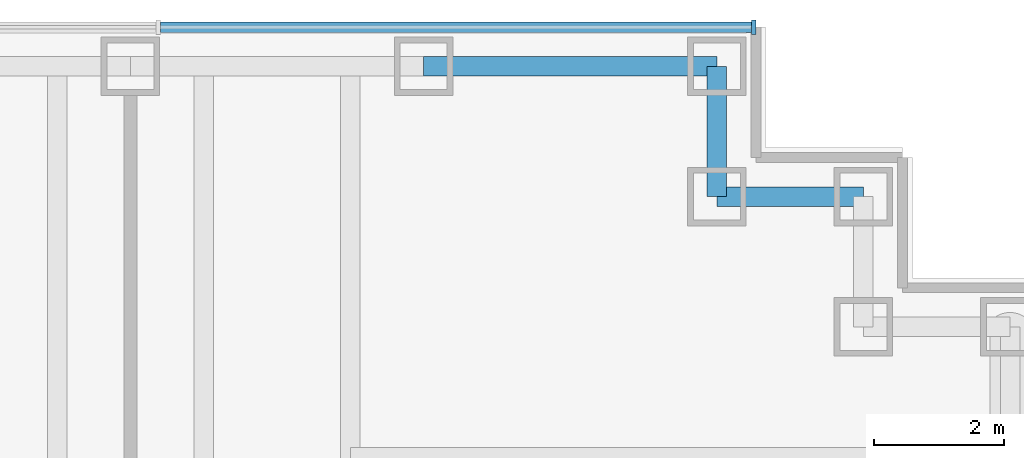
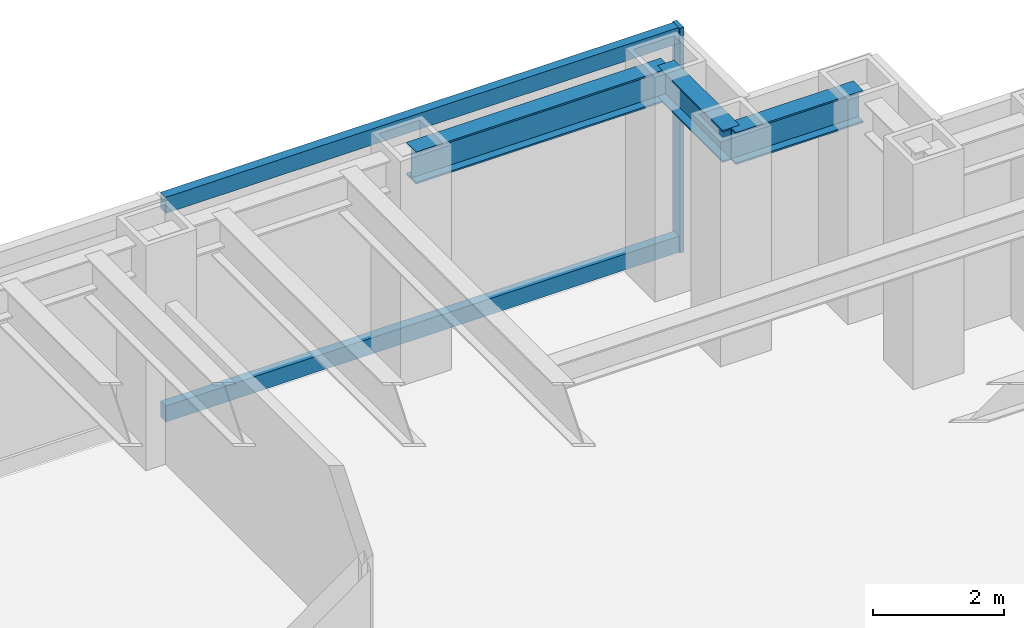
# One storey, part 8 of 14: 3 beams, 3 members, 1 element without a shape of its own.
"""IFC4 building model written with IfcOpenShell, lengths in metres."""

from ifc_helpers import new_model, si_unit, direction, frame, origin, origin_2d, place, context, subcontext, project, spatial, rectangle, i_section, extrude, material, material_profile, profile_set, type_object, element, aggregate, save


model = new_model("IFC4")

# Units and contexts
model_context = context("Model", 3, precision=1e-05, world=origin(), true_north=direction((0.0, 1.0)))
body_context = subcontext(model_context, "Body", "Model", "MODEL_VIEW")
ifc_project = project(units=[si_unit("LENGTHUNIT", "METRE"), si_unit("AREAUNIT", "SQUARE_METRE"), si_unit("VOLUMEUNIT", "CUBIC_METRE"), si_unit("PLANEANGLEUNIT", "RADIAN"), si_unit("MASSUNIT", "GRAM", prefix="KILO")], contexts=[model_context])

# Site, building, storey
site_placement = place(None, origin())
site = spatial("IfcSite", under=ifc_project, at=site_placement, CompositionType="ELEMENT")
building_placement = place(site_placement, origin())
building = spatial("IfcBuilding", under=site, at=building_placement, Name="Rheinbord Bourse Tower", CompositionType="ELEMENT")
storey_placement = place(building_placement, frame((0.0, 0.0, 198.39990234375)))
storey = spatial("IfcBuildingStorey", under=building, at=storey_placement, Name="L44", CompositionType="ELEMENT", Elevation=198.39990234375)

# Curtain wall, members
ifc_material_1 = material(Name="Dark glass and black aluminium", Category="aluminium")
curtain_wall_type = type_object("IfcCurtainWallType", Name="CW2 DARK GLASS CURTAIN WALL", PredefinedType="USERDEFINED", material=ifc_material_1)
curtain_wall_placement = place(storey_placement, origin())
curtain_wall = element("IfcCurtainWall", 1, at=curtain_wall_placement, inside=storey, type_object=curtain_wall_type, Name="Curtain wall CW2 N L44", ObjectType="UNITISED CURTAIN WALL", PredefinedType="USERDEFINED")
ifc_material_2 = material(Name="Black anodised aluminium", Category="aluminium")
ifc_material_profile_1 = material_profile(ifc_material_2, rectangle(XDim=0.219970703125, YDim=0.070068359375, at=origin_2d()), Name="CW2 MULLION 70x220")
ifc_profile_set_1 = profile_set([ifc_material_profile_1], Name="Black anodised aluminium")
member_type_1 = type_object("IfcMemberType", Name="CW2 BLACK MULLION", PredefinedType="MULLION", material=ifc_profile_set_1)
member_1_placement = place(storey_placement, frame((68.06494140625, 44.60009765625, 0.0), z_axis=(0.0, 0.0, 1.0), x_axis=(0.0, -1.0, 0.0)))
member_1 = element("IfcMember", 2, at=member_1_placement, type_object=member_type_1, Name="CW2 mullion 1", PredefinedType="MULLION", context=body_context, shape_type="SweptSolid", body=[
    extrude(rectangle(XDim=0.219970703125, YDim=0.070068359375, at=origin_2d()), origin(), (0.0, 0.0, 1.0), 4.2001953125),
])
ifc_material_3 = material(Name="Black anodised aluminium", Category="aluminium")
ifc_material_profile_2 = material_profile(ifc_material_3, rectangle(XDim=0.159912109375, YDim=0.300048828125, at=origin_2d()), Name="CW2 TRANSOM 300x160")
ifc_profile_set_2 = profile_set([ifc_material_profile_2], Name="Black anodised aluminium")
member_type_2 = type_object("IfcMemberType", Name="CW2 BLACK TRANSOM", PredefinedType="USERDEFINED", material=ifc_profile_set_2)
member_2_placement = place(storey_placement, frame((68.030029296875, 44.60009765625, 0.150146484375), z_axis=(-1.0, 0.0, 0.0), x_axis=(0.0, -1.0, 0.0)))
member_2 = element("IfcMember", 3, at=member_2_placement, type_object=member_type_2, Name="CW2 transom 1.1", ObjectType="TRANSOM", PredefinedType="USERDEFINED", context=body_context, shape_type="SweptSolid", body=[
    extrude(rectangle(XDim=0.159912109375, YDim=0.300048828125, at=origin_2d()), origin(), (0.0, 0.0, 1.0), 9.06640625),
])
member_3_placement = place(storey_placement, frame((68.030029296875, 44.60009765625, 4.050048828125), z_axis=(-1.0, 0.0, 0.0), x_axis=(0.0, -1.0, 0.0)))
member_3 = element("IfcMember", 4, at=member_3_placement, type_object=member_type_2, Name="CW2 transom 1.2", ObjectType="TRANSOM", PredefinedType="USERDEFINED", context=body_context, shape_type="SweptSolid", body=[
    extrude(rectangle(XDim=0.159912109375, YDim=0.300048828125, at=origin_2d()), origin(), (0.0, 0.0, 1.0), 9.06640625),
])
aggregate(curtain_wall, [member_1, member_2, member_3])

# Beams
ifc_material_4 = material(Name="Steel S460", Category="steel")
ifc_material_profile_3 = material_profile(ifc_material_4, i_section(OverallWidth=0.300048828125, OverallDepth=0.60009765625, WebThickness=0.015380859375, FlangeThickness=0.030029296875, at=origin_2d()), Name="HEB 600")
ifc_profile_set_3 = profile_set([ifc_material_profile_3], Name="Steel S460")
beam_type = type_object("IfcBeamType", Name="SPANDREL HEB 600", PredefinedType="SPANDREL", material=ifc_profile_set_3)
beam_1_placement = place(storey_placement, frame((69.75, 42.0, 3.739990234375), z_axis=(-1.0, 0.0, 0.0), x_axis=(0.0, -1.0, 0.0)))
element("IfcBeam", 5, at=beam_1_placement, inside=storey, type_object=beam_type, Name="Spandrel NE-C-NE-D under L45", PredefinedType="SPANDREL", context=body_context, shape_type="SweptSolid", body=[
    extrude(i_section(OverallWidth=0.300048828125, OverallDepth=0.60009765625, WebThickness=0.015380859375, FlangeThickness=0.030029296875, at=origin_2d()), origin(), (0.0, 0.0, 1.0), 2.25),
])
beam_2_placement = place(storey_placement, frame((67.5, 42.0, 3.739990234375), z_axis=(0.0, 1.0, 0.0), x_axis=(-1.0, 0.0, 0.0)))
element("IfcBeam", 6, at=beam_2_placement, inside=storey, type_object=beam_type, Name="Spandrel NE-D-NE-E under L45", PredefinedType="SPANDREL", context=body_context, shape_type="SweptSolid", body=[
    extrude(i_section(OverallWidth=0.300048828125, OverallDepth=0.60009765625, WebThickness=0.015380859375, FlangeThickness=0.030029296875, at=origin_2d()), origin(), (0.0, 0.0, 1.0), 2.0),
])
beam_3_placement = place(storey_placement, frame((67.5, 44.0, 3.739990234375), z_axis=(-1.0, 0.0, 0.0), x_axis=(0.0, -1.0, 0.0)))
element("IfcBeam", 7, at=beam_3_placement, inside=storey, type_object=beam_type, Name="Spandrel NE-E-N-63 under L45", PredefinedType="SPANDREL", context=body_context, shape_type="SweptSolid", body=[
    extrude(i_section(OverallWidth=0.300048828125, OverallDepth=0.60009765625, WebThickness=0.015380859375, FlangeThickness=0.030029296875, at=origin_2d()), origin(), (0.0, 0.0, 1.0), 4.5),
])

save(model, "model.ifc")
